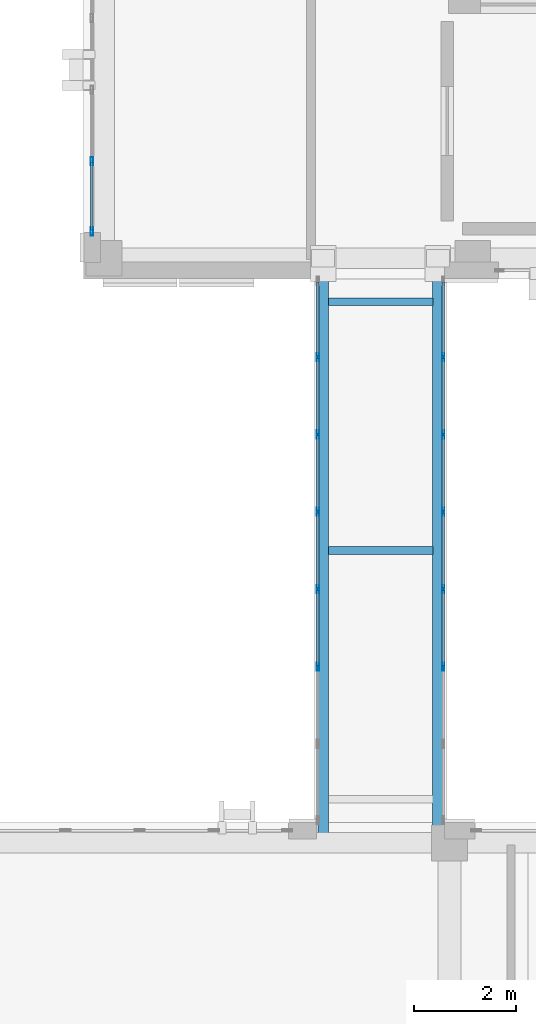
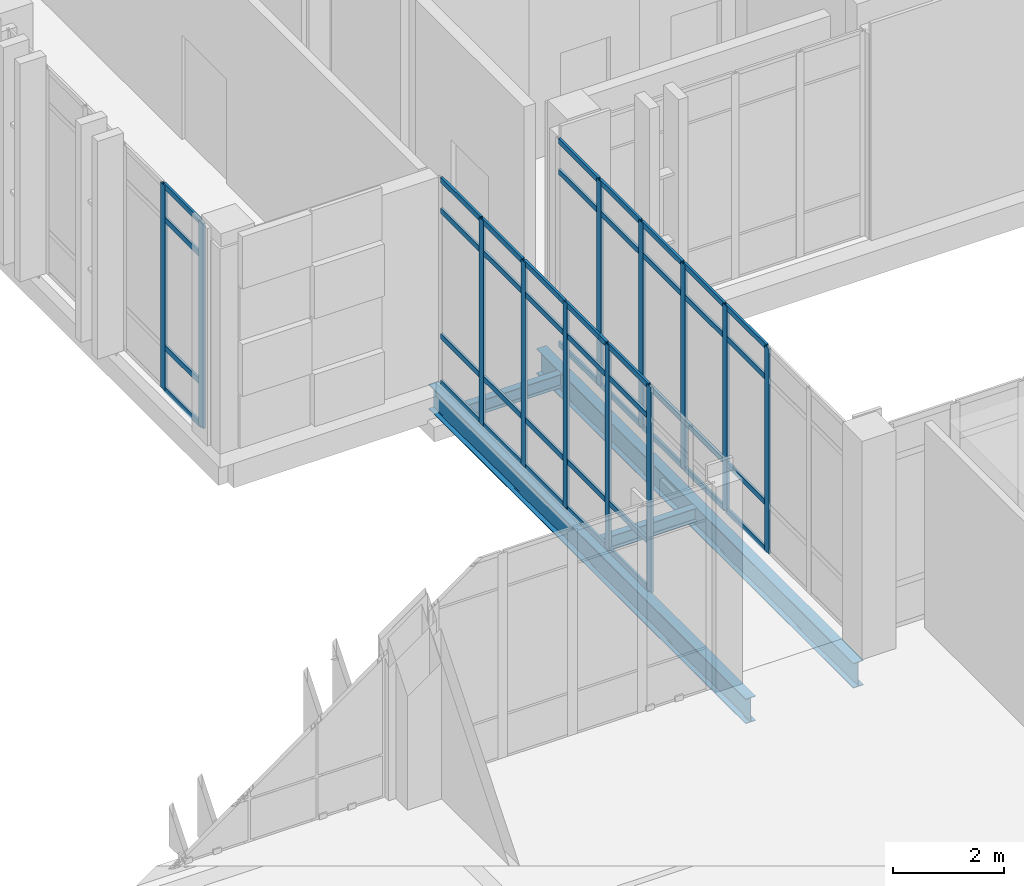
# One storey, part 56 of 189: 56 members, 4 beams, 3 elements without a shape of their own.
"""IFC4 building model written with IfcOpenShell, lengths in metres."""

import ifcopenshell
import ifcopenshell.guid

model = None  # the IFC model being written
_history = None  # IfcOwnerHistory: only IFC2X3 demands one
_inside = {}  # id of a spatial element -> (the spatial element, [elements in it])
_under = {}  # id of a project, library or spatial element -> (it, [spatial elements below it])
_declared = {}  # id of a project -> (the project, [libraries it declares])
_typed = {}  # id of a type object -> (the type object, [elements of that type])
_made_of = {}  # id of a material, layer set ... -> (it, [elements and type objects made of it])


def new_model(schema):
    """Start an empty IFC model of exactly this schema.

    Asked for "IFC4X3", IfcOpenShell would pick the latest addendum, in which some entities
    have other attributes; the version numbers below select the first issue.
    IFC2X3 requires an IfcOwnerHistory on every rooted entity: one is made here for all.
    """
    global model, _history
    if schema == "IFC4X3":
        model = ifcopenshell.file(schema_version=(4, 3, 0, 0))
    else:
        model = ifcopenshell.file(schema=schema)
    _inside.clear()
    _under.clear()
    _declared.clear()
    _typed.clear()
    _made_of.clear()
    _history = None
    if model.schema == "IFC2X3":
        org = make("IfcOrganization", Name="unknown")
        user = make(
            "IfcPersonAndOrganization",
            ThePerson=make("IfcPerson", FamilyName="unknown"),
            TheOrganization=org,
        )
        app = make(
            "IfcApplication",
            ApplicationDeveloper=org,
            Version="unknown",
            ApplicationFullName="unknown",
            ApplicationIdentifier="unknown",
        )
        _history = make(
            "IfcOwnerHistory",
            OwningUser=user,
            OwningApplication=app,
            ChangeAction="ADDED",
            CreationDate=0,
        )
    return model


def make(cls, **values):
    """One entity of the class cls with the attributes given. An attribute that is None is left unset."""
    return model.create_entity(
        cls, **{name: value for name, value in values.items() if value is not None}
    )


def rooted(cls, **values):
    """An entity with a GlobalId (a new one), such as an element, a storey or a relation."""
    return make(cls, GlobalId=ifcopenshell.guid.new(), OwnerHistory=_history, **values)


def si_unit(unit_type, name, prefix=None):
    """IfcSIUnit, for example si_unit("LENGTHUNIT", "METRE", prefix="MILLI")."""
    return make("IfcSIUnit", UnitType=unit_type, Prefix=prefix, Name=name)


def assignment(units):
    """IfcUnitAssignment: the units of a project."""
    return None if units is None else make("IfcUnitAssignment", Units=units)


def point(xyz):
    """IfcCartesianPoint."""
    return None if xyz is None else make("IfcCartesianPoint", Coordinates=xyz)


def direction(xyz):
    """IfcDirection."""
    return None if xyz is None else make("IfcDirection", DirectionRatios=xyz)


def frame(location, z_axis=None, x_axis=None):
    """IfcAxis2Placement3D, a coordinate frame: its origin and axes. An axis left out is left unset."""
    return make(
        "IfcAxis2Placement3D",
        Location=point(location),
        Axis=direction(z_axis),
        RefDirection=direction(x_axis),
    )


def frame_2d(location, x_axis=None):
    """IfcAxis2Placement2D, a coordinate frame in the plane: its origin and x axis."""
    return make(
        "IfcAxis2Placement2D", Location=point(location), RefDirection=direction(x_axis)
    )


def origin():
    """The frame at (0, 0, 0) with its axes left unset."""
    return frame((0.0, 0.0, 0.0))


def origin_2d():
    """The frame at (0, 0) in the plane with its x axis left unset."""
    return frame_2d((0.0, 0.0))


def place(relative_to, where):
    """IfcLocalPlacement: puts the frame where relative to a parent placement (None: the world)."""
    return make(
        "IfcLocalPlacement", PlacementRelTo=relative_to, RelativePlacement=where
    )


def context(
    kind, dimensions, precision=None, world=None, true_north=None, identifier=None
):
    """IfcGeometricRepresentationContext, for example the 3D "Model" context."""
    return make(
        "IfcGeometricRepresentationContext",
        ContextIdentifier=identifier,
        ContextType=kind,
        CoordinateSpaceDimension=dimensions,
        Precision=precision,
        WorldCoordinateSystem=world,
        TrueNorth=true_north,
    )


def subcontext(parent, identifier, kind, view, scale=None):
    """IfcGeometricRepresentationSubContext, for example "Body" below "Model"."""
    return make(
        "IfcGeometricRepresentationSubContext",
        ContextIdentifier=identifier,
        ContextType=kind,
        ParentContext=parent,
        TargetScale=scale,
        TargetView=view,
    )


def project(units=None, contexts=None):
    """IfcProject with its units and contexts."""
    return rooted(
        "IfcProject",
        Name="project",
        RepresentationContexts=contexts,
        UnitsInContext=assignment(units),
    )


def spatial(cls, under=None, at=None, **own):
    """A site, building, storey or space (cls), placed at a placement, below another one or the project."""
    s = rooted(cls, ObjectPlacement=at, **own)
    if under is not None:
        _under.setdefault(under.id(), (under, []))[1].append(s)
    return s


def profile(cls, at=None, kind="AREA", **sizes):
    """A parametric profile (cls). Its sizes go by their IFC names, for example OverallWidth=200.0."""
    return make(cls, ProfileType=kind, Position=at, **sizes)


def hollow_rectangle(**sizes):
    """IfcRectangleHollowProfileDef."""
    return profile("IfcRectangleHollowProfileDef", **sizes)


def i_section(**sizes):
    """IfcIShapeProfileDef."""
    return profile("IfcIShapeProfileDef", **sizes)


def extrude(swept, where, along, depth):
    """IfcExtrudedAreaSolid: the profile swept, set in the frame where, extruded along a direction by depth."""
    return make(
        "IfcExtrudedAreaSolid",
        SweptArea=swept,
        Position=where,
        ExtrudedDirection=direction(along),
        Depth=depth,
    )


def shape(context_of_items, identifier, shape_type, items):
    """IfcShapeRepresentation: the items that make up one representation, for example the "Body"."""
    return make(
        "IfcShapeRepresentation",
        ContextOfItems=context_of_items,
        RepresentationIdentifier=identifier,
        RepresentationType=shape_type,
        Items=items,
    )


def material(Name=None, Category=None):
    """IfcMaterial."""
    return make("IfcMaterial", Name=Name, Category=Category)


def layer(
    of_material, thickness, ventilated=None, Name=None, Category=None, Priority=None
):
    """IfcMaterialLayer: one layer of a wall or slab, of a material (None: an air gap)."""
    return make(
        "IfcMaterialLayer",
        Material=of_material,
        LayerThickness=thickness,
        IsVentilated=ventilated,
        Name=Name,
        Category=Category,
        Priority=Priority,
    )


def layer_set(layers, Name=None):
    """IfcMaterialLayerSet."""
    return make("IfcMaterialLayerSet", MaterialLayers=layers, LayerSetName=Name)


def material_profile(
    of_material, cross_section, Name=None, Category=None, Priority=None
):
    """IfcMaterialProfile: a cross section and its material."""
    return make(
        "IfcMaterialProfile",
        Name=Name,
        Material=of_material,
        Profile=cross_section,
        Priority=Priority,
        Category=Category,
    )


def profile_set(profiles, Name=None, composite=None):
    """IfcMaterialProfileSet."""
    return make(
        "IfcMaterialProfileSet",
        Name=Name,
        MaterialProfiles=profiles,
        CompositeProfile=composite,
    )


def made_of(thing, what):
    """Note that an element or type object is made of a material, layer set ...; save() writes the relation."""
    if what is not None:
        _made_of.setdefault(what.id(), (what, []))[1].append(thing)
    return thing


def type_object(cls, material=None, **own):
    """A type object (cls), such as IfcWallType, which elements share."""
    return made_of(rooted(cls, **own), material)


def element(
    cls,
    number,
    at=None,
    inside=None,
    cuts=None,
    type_object=None,
    material=None,
    context=None,
    identifier="Body",
    shape_type=None,
    held_by="IfcProductDefinitionShape",
    body=None,
    shapes=None,
    **own,
):
    """One element of the class cls, such as IfcWall. Its Tag is "e" and its number.

    at: its placement. inside: the storey or other place that contains it. cuts: it is an
    opening in that element (IfcRelVoidsElement). A single representation is given by context,
    identifier, shape_type and body (its items); several are given by shapes. held_by: the class
    of the entity that holds the representations. save() writes the other relations.
    """
    e = rooted(cls, Tag="e%d" % number, ObjectPlacement=at, **own)
    if body is not None:
        shapes = [shape(context, identifier, shape_type, body)]
    if shapes is not None:
        e.Representation = make(held_by, Representations=shapes)
    if inside is not None:
        _inside.setdefault(inside.id(), (inside, []))[1].append(e)
    if cuts is not None:
        rooted(
            "IfcRelVoidsElement", RelatingBuildingElement=cuts, RelatedOpeningElement=e
        )
    if type_object is not None:
        _typed.setdefault(type_object.id(), (type_object, []))[1].append(e)
    return made_of(e, material)


def aggregate(whole, parts):
    """IfcRelAggregates: a whole, such as a stair, and the parts it consists of."""
    return rooted("IfcRelAggregates", RelatingObject=whole, RelatedObjects=parts)


def save(model, path):
    """Write the relations noted so far, then the file.

    IfcRelAggregates (storeys below a building ...), IfcRelContainedInSpatialStructure (elements
    in a storey), IfcRelDefinesByType, IfcRelAssociatesMaterial and IfcRelDeclares: one each for
    every whole, place, type object, material and project.
    """
    for whole, parts in _under.values():
        aggregate(whole, parts)
    for where, things in _inside.values():
        rooted(
            "IfcRelContainedInSpatialStructure",
            RelatedElements=things,
            RelatingStructure=where,
        )
    for kind, things in _typed.values():
        rooted("IfcRelDefinesByType", RelatedObjects=things, RelatingType=kind)
    for what, things in _made_of.values():
        rooted("IfcRelAssociatesMaterial", RelatedObjects=things, RelatingMaterial=what)
    for by, libraries in _declared.values():
        rooted("IfcRelDeclares", RelatingContext=by, RelatedDefinitions=libraries)
    model.write(path)


model = new_model("IFC4")

# Units and contexts
model_context = context("Model", 3, precision=1e-05, world=origin(), true_north=direction((0.0, 1.0)))
body_context = subcontext(model_context, "Body", "Model", "MODEL_VIEW")
ifc_project = project(units=[si_unit("LENGTHUNIT", "METRE"), si_unit("AREAUNIT", "SQUARE_METRE"), si_unit("VOLUMEUNIT", "CUBIC_METRE"), si_unit("PLANEANGLEUNIT", "RADIAN"), si_unit("MASSUNIT", "GRAM", prefix="KILO")], contexts=[model_context])

# Site, building, storey
site_placement = place(None, origin())
site = spatial("IfcSite", under=ifc_project, at=site_placement, CompositionType="ELEMENT")
building_placement = place(site_placement, origin())
building = spatial("IfcBuilding", under=site, at=building_placement, Name="Qalavern Law Courts", CompositionType="ELEMENT")
storey_placement = place(building_placement, frame((0.0, 0.0, 5.39990234375)))
storey = spatial("IfcBuildingStorey", under=building, at=storey_placement, Name="L01", CompositionType="ELEMENT", Elevation=5.39990234375)

# Curtain wall, members
ifc_material_1 = material(Name="Anodised aluminium and insulated glazing", Category="aluminium")
ifc_layer_1 = layer(ifc_material_1, 0.172119140625)
ifc_layer_set_1 = layer_set([ifc_layer_1], Name="Anodised aluminium and insulated glazing")
curtain_wall_type_1 = type_object("IfcCurtainWallType", Name="ENV-CW-COURT", PredefinedType="USERDEFINED", material=ifc_layer_set_1)
curtain_wall_1_placement = place(storey_placement, origin())
curtain_wall_1 = element("IfcCurtainWall", 1, at=curtain_wall_1_placement, inside=storey, type_object=curtain_wall_type_1, Name="V4 unitised curtain wall L01 west 6", ObjectType="UNITISED CURTAIN WALL", PredefinedType="USERDEFINED")
ifc_material_2 = material(Name="Anodised aluminium", Category="aluminium")
ifc_material_profile_1 = material_profile(ifc_material_2, hollow_rectangle(XDim=0.048095703125, YDim=0.159912109375, WallThickness=0.00390625, at=origin_2d()), Name="ALU MULLION 48x160")
ifc_profile_set_1 = profile_set([ifc_material_profile_1], Name="Anodised aluminium")
member_type_1 = type_object("IfcMemberType", Name="ENV-CWM-48x160", PredefinedType="MULLION", material=ifc_profile_set_1)
member_1_placement = place(storey_placement, frame((84.362548828125, 43.31591796875, 0.0), z_axis=(0.0, 0.0, 1.0), x_axis=(1.0, 0.0, 0.0)))
member_1 = element("IfcMember", 2, at=member_1_placement, type_object=member_type_1, Name="CW-03 mullion 5", PredefinedType="MULLION", context=body_context, shape_type="SweptSolid", body=[
    extrude(hollow_rectangle(XDim=0.048095703125, YDim=0.159912109375, WallThickness=0.00390625, at=origin_2d()), origin(), (0.0, 0.0, 1.0), 4.510009765625),
])
member_2_placement = place(storey_placement, frame((84.362548828125, 41.944091796875, 0.0), z_axis=(0.0, 0.0, 1.0), x_axis=(1.0, 0.0, 0.0)))
member_2 = element("IfcMember", 3, at=member_2_placement, type_object=member_type_1, Name="CW-03 mullion 6", PredefinedType="MULLION", context=body_context, shape_type="SweptSolid", body=[
    extrude(hollow_rectangle(XDim=0.048095703125, YDim=0.159912109375, WallThickness=0.00390625, at=origin_2d()), origin(), (0.0, 0.0, 1.0), 4.510009765625),
])

ifc_layer_2 = layer(ifc_material_1, 0.14990234375)
ifc_layer_set_2 = layer_set([ifc_layer_2], Name="Anodised aluminium and insulated glazing")
curtain_wall_type_2 = type_object("IfcCurtainWallType", Name="ENV-CW-BRG", PredefinedType="USERDEFINED", material=ifc_layer_set_2)
curtain_wall_2_placement = place(storey_placement, origin())
curtain_wall_2 = element("IfcCurtainWall", 4, at=curtain_wall_2_placement, inside=storey, type_object=curtain_wall_type_2, Name="Bridge BR-V2-V4 glazed curtain wall L01-1", ObjectType="UNITISED CURTAIN WALL", PredefinedType="USERDEFINED")
member_3_placement = place(storey_placement, frame((88.77490234375, 39.488525390625, 0.0), z_axis=(0.0, 0.0, 1.0), x_axis=(1.0, 0.0, 0.0)))
member_3 = element("IfcMember", 5, at=member_3_placement, type_object=member_type_1, Name="CW-06 mullion 2", PredefinedType="MULLION", context=body_context, shape_type="SweptSolid", body=[
    extrude(hollow_rectangle(XDim=0.048095703125, YDim=0.159912109375, WallThickness=0.00390625, at=origin_2d()), origin(), (0.0, 0.0, 1.0), 4.510009765625),
])
member_4_placement = place(storey_placement, frame((88.77490234375, 37.97705078125, 0.0), z_axis=(0.0, 0.0, 1.0), x_axis=(1.0, 0.0, 0.0)))
member_4 = element("IfcMember", 6, at=member_4_placement, type_object=member_type_1, Name="CW-06 mullion 3", PredefinedType="MULLION", context=body_context, shape_type="SweptSolid", body=[
    extrude(hollow_rectangle(XDim=0.048095703125, YDim=0.159912109375, WallThickness=0.00390625, at=origin_2d()), origin(), (0.0, 0.0, 1.0), 4.510009765625),
])
member_5_placement = place(storey_placement, frame((88.77490234375, 36.4658203125, 0.0), z_axis=(0.0, 0.0, 1.0), x_axis=(1.0, 0.0, 0.0)))
member_5 = element("IfcMember", 7, at=member_5_placement, type_object=member_type_1, Name="CW-06 mullion 4", PredefinedType="MULLION", context=body_context, shape_type="SweptSolid", body=[
    extrude(hollow_rectangle(XDim=0.048095703125, YDim=0.159912109375, WallThickness=0.00390625, at=origin_2d()), origin(), (0.0, 0.0, 1.0), 4.510009765625),
])
member_6_placement = place(storey_placement, frame((88.77490234375, 34.954345703125, 0.0), z_axis=(0.0, 0.0, 1.0), x_axis=(1.0, 0.0, 0.0)))
member_6 = element("IfcMember", 8, at=member_6_placement, type_object=member_type_1, Name="CW-06 mullion 5", PredefinedType="MULLION", context=body_context, shape_type="SweptSolid", body=[
    extrude(hollow_rectangle(XDim=0.048095703125, YDim=0.159912109375, WallThickness=0.00390625, at=origin_2d()), origin(), (0.0, 0.0, 1.0), 4.510009765625),
])
member_7_placement = place(storey_placement, frame((88.77490234375, 33.44287109375, 0.0), z_axis=(0.0, 0.0, 1.0), x_axis=(1.0, 0.0, 0.0)))
member_7 = element("IfcMember", 9, at=member_7_placement, type_object=member_type_1, Name="CW-06 mullion 6", PredefinedType="MULLION", context=body_context, shape_type="SweptSolid", body=[
    extrude(hollow_rectangle(XDim=0.048095703125, YDim=0.159912109375, WallThickness=0.00390625, at=origin_2d()), origin(), (0.0, 0.0, 1.0), 4.510009765625),
])

curtain_wall_3_placement = place(storey_placement, origin())
curtain_wall_3 = element("IfcCurtainWall", 10, at=curtain_wall_3_placement, inside=storey, type_object=curtain_wall_type_2, Name="Bridge BR-V2-V4 glazed curtain wall L01-2", ObjectType="UNITISED CURTAIN WALL", PredefinedType="USERDEFINED")
member_8_placement = place(storey_placement, frame((91.22509765625, 33.44287109375, 0.0), z_axis=(0.0, 0.0, 1.0), x_axis=(-1.0, 0.0, 0.0)))
member_8 = element("IfcMember", 11, at=member_8_placement, type_object=member_type_1, Name="CW-06 mullion 3", PredefinedType="MULLION", context=body_context, shape_type="SweptSolid", body=[
    extrude(hollow_rectangle(XDim=0.048095703125, YDim=0.159912109375, WallThickness=0.00390625, at=origin_2d()), origin(), (0.0, 0.0, 1.0), 4.510009765625),
])
member_9_placement = place(storey_placement, frame((91.22509765625, 34.954345703125, 0.0), z_axis=(0.0, 0.0, 1.0), x_axis=(-1.0, 0.0, 0.0)))
member_9 = element("IfcMember", 12, at=member_9_placement, type_object=member_type_1, Name="CW-06 mullion 4", PredefinedType="MULLION", context=body_context, shape_type="SweptSolid", body=[
    extrude(hollow_rectangle(XDim=0.048095703125, YDim=0.159912109375, WallThickness=0.00390625, at=origin_2d()), origin(), (0.0, 0.0, 1.0), 4.510009765625),
])
member_10_placement = place(storey_placement, frame((91.22509765625, 36.4658203125, 0.0), z_axis=(0.0, 0.0, 1.0), x_axis=(-1.0, 0.0, 0.0)))
member_10 = element("IfcMember", 13, at=member_10_placement, type_object=member_type_1, Name="CW-06 mullion 5", PredefinedType="MULLION", context=body_context, shape_type="SweptSolid", body=[
    extrude(hollow_rectangle(XDim=0.048095703125, YDim=0.159912109375, WallThickness=0.00390625, at=origin_2d()), origin(), (0.0, 0.0, 1.0), 4.510009765625),
])
member_11_placement = place(storey_placement, frame((91.22509765625, 37.97705078125, 0.0), z_axis=(0.0, 0.0, 1.0), x_axis=(-1.0, 0.0, 0.0)))
member_11 = element("IfcMember", 14, at=member_11_placement, type_object=member_type_1, Name="CW-06 mullion 6", PredefinedType="MULLION", context=body_context, shape_type="SweptSolid", body=[
    extrude(hollow_rectangle(XDim=0.048095703125, YDim=0.159912109375, WallThickness=0.00390625, at=origin_2d()), origin(), (0.0, 0.0, 1.0), 4.510009765625),
])
member_12_placement = place(storey_placement, frame((91.22509765625, 39.488525390625, 0.0), z_axis=(0.0, 0.0, 1.0), x_axis=(-1.0, 0.0, 0.0)))
member_12 = element("IfcMember", 15, at=member_12_placement, type_object=member_type_1, Name="CW-06 mullion 7", PredefinedType="MULLION", context=body_context, shape_type="SweptSolid", body=[
    extrude(hollow_rectangle(XDim=0.048095703125, YDim=0.159912109375, WallThickness=0.00390625, at=origin_2d()), origin(), (0.0, 0.0, 1.0), 4.510009765625),
])

# Member
ifc_material_profile_2 = material_profile(ifc_material_2, hollow_rectangle(XDim=0.048095703125, YDim=0.1201171875, WallThickness=0.00390625, at=origin_2d()), Name="ALU TRANSOM 48x120")
ifc_profile_set_2 = profile_set([ifc_material_profile_2], Name="Anodised aluminium")
member_type_2 = type_object("IfcMemberType", Name="ENV-CWT-48x120", PredefinedType="USERDEFINED", material=ifc_profile_set_2)
member_13_placement = place(storey_placement, frame((84.362548828125, 43.2919921875, 0.024169921875), z_axis=(0.0, -1.0, 0.0), x_axis=(1.0, 0.0, 0.0)))
member_13 = element("IfcMember", 16, at=member_13_placement, type_object=member_type_2, Name="CW-03 transom 5.1", ObjectType="TRANSOM", PredefinedType="USERDEFINED", context=body_context, shape_type="SweptSolid", body=[
    extrude(hollow_rectangle(XDim=0.048095703125, YDim=0.1201171875, WallThickness=0.00390625, at=origin_2d()), origin(), (0.0, 0.0, 1.0), 1.323974609375),
])

member_14_placement = place(storey_placement, frame((84.362548828125, 43.2919921875, 0.9501953125), z_axis=(0.0, -1.0, 0.0), x_axis=(1.0, 0.0, 0.0)))
member_14 = element("IfcMember", 17, at=member_14_placement, type_object=member_type_2, Name="CW-03 transom 5.2", ObjectType="TRANSOM", PredefinedType="USERDEFINED", context=body_context, shape_type="SweptSolid", body=[
    extrude(hollow_rectangle(XDim=0.048095703125, YDim=0.1201171875, WallThickness=0.00390625, at=origin_2d()), origin(), (0.0, 0.0, 1.0), 1.323974609375),
])

member_15_placement = place(storey_placement, frame((84.362548828125, 43.2919921875, 3.760009765625), z_axis=(0.0, -1.0, 0.0), x_axis=(1.0, 0.0, 0.0)))
member_15 = element("IfcMember", 18, at=member_15_placement, type_object=member_type_2, Name="CW-03 transom 5.3", ObjectType="TRANSOM", PredefinedType="USERDEFINED", context=body_context, shape_type="SweptSolid", body=[
    extrude(hollow_rectangle(XDim=0.048095703125, YDim=0.1201171875, WallThickness=0.00390625, at=origin_2d()), origin(), (0.0, 0.0, 1.0), 1.323974609375),
])

member_16_placement = place(storey_placement, frame((84.362548828125, 43.2919921875, 4.486083984375), z_axis=(0.0, -1.0, 0.0), x_axis=(1.0, 0.0, 0.0)))
member_16 = element("IfcMember", 19, at=member_16_placement, type_object=member_type_2, Name="CW-03 transom 5.4", ObjectType="TRANSOM", PredefinedType="USERDEFINED", context=body_context, shape_type="SweptSolid", body=[
    extrude(hollow_rectangle(XDim=0.048095703125, YDim=0.1201171875, WallThickness=0.00390625, at=origin_2d()), origin(), (0.0, 0.0, 1.0), 1.323974609375),
])

aggregate(curtain_wall_1, [member_1, member_2, member_13, member_14, member_15, member_16])

member_17_placement = place(storey_placement, frame((88.77490234375, 40.951904296875, 0.024169921875), z_axis=(0.0, -1.0, 0.0), x_axis=(1.0, 0.0, 0.0)))
member_17 = element("IfcMember", 20, at=member_17_placement, type_object=member_type_2, Name="CW-06 transom 1.1", ObjectType="TRANSOM", PredefinedType="USERDEFINED", context=body_context, shape_type="SweptSolid", body=[
    extrude(hollow_rectangle(XDim=0.048095703125, YDim=0.1201171875, WallThickness=0.00390625, at=origin_2d()), origin(), (0.0, 0.0, 1.0), 1.439453125),
])

member_18_placement = place(storey_placement, frame((88.77490234375, 40.951904296875, 1.050048828125), z_axis=(0.0, -1.0, 0.0), x_axis=(1.0, 0.0, 0.0)))
member_18 = element("IfcMember", 21, at=member_18_placement, type_object=member_type_2, Name="CW-06 transom 1.2", ObjectType="TRANSOM", PredefinedType="USERDEFINED", context=body_context, shape_type="SweptSolid", body=[
    extrude(hollow_rectangle(XDim=0.048095703125, YDim=0.1201171875, WallThickness=0.00390625, at=origin_2d()), origin(), (0.0, 0.0, 1.0), 1.439453125),
])

member_19_placement = place(storey_placement, frame((88.77490234375, 40.951904296875, 3.81005859375), z_axis=(0.0, -1.0, 0.0), x_axis=(1.0, 0.0, 0.0)))
member_19 = element("IfcMember", 22, at=member_19_placement, type_object=member_type_2, Name="CW-06 transom 1.3", ObjectType="TRANSOM", PredefinedType="USERDEFINED", context=body_context, shape_type="SweptSolid", body=[
    extrude(hollow_rectangle(XDim=0.048095703125, YDim=0.1201171875, WallThickness=0.00390625, at=origin_2d()), origin(), (0.0, 0.0, 1.0), 1.439453125),
])

member_20_placement = place(storey_placement, frame((88.77490234375, 40.951904296875, 4.486083984375), z_axis=(0.0, -1.0, 0.0), x_axis=(1.0, 0.0, 0.0)))
member_20 = element("IfcMember", 23, at=member_20_placement, type_object=member_type_2, Name="CW-06 transom 1.4", ObjectType="TRANSOM", PredefinedType="USERDEFINED", context=body_context, shape_type="SweptSolid", body=[
    extrude(hollow_rectangle(XDim=0.048095703125, YDim=0.1201171875, WallThickness=0.00390625, at=origin_2d()), origin(), (0.0, 0.0, 1.0), 1.439453125),
])

member_21_placement = place(storey_placement, frame((88.77490234375, 39.464599609375, 0.024169921875), z_axis=(0.0, -1.0, 0.0), x_axis=(1.0, 0.0, 0.0)))
member_21 = element("IfcMember", 24, at=member_21_placement, type_object=member_type_2, Name="CW-06 transom 2.1", ObjectType="TRANSOM", PredefinedType="USERDEFINED", context=body_context, shape_type="SweptSolid", body=[
    extrude(hollow_rectangle(XDim=0.048095703125, YDim=0.1201171875, WallThickness=0.00390625, at=origin_2d()), origin(), (0.0, 0.0, 1.0), 1.46337890625),
])

member_22_placement = place(storey_placement, frame((88.77490234375, 39.464599609375, 1.050048828125), z_axis=(0.0, -1.0, 0.0), x_axis=(1.0, 0.0, 0.0)))
member_22 = element("IfcMember", 25, at=member_22_placement, type_object=member_type_2, Name="CW-06 transom 2.2", ObjectType="TRANSOM", PredefinedType="USERDEFINED", context=body_context, shape_type="SweptSolid", body=[
    extrude(hollow_rectangle(XDim=0.048095703125, YDim=0.1201171875, WallThickness=0.00390625, at=origin_2d()), origin(), (0.0, 0.0, 1.0), 1.46337890625),
])

member_23_placement = place(storey_placement, frame((88.77490234375, 39.464599609375, 3.81005859375), z_axis=(0.0, -1.0, 0.0), x_axis=(1.0, 0.0, 0.0)))
member_23 = element("IfcMember", 26, at=member_23_placement, type_object=member_type_2, Name="CW-06 transom 2.3", ObjectType="TRANSOM", PredefinedType="USERDEFINED", context=body_context, shape_type="SweptSolid", body=[
    extrude(hollow_rectangle(XDim=0.048095703125, YDim=0.1201171875, WallThickness=0.00390625, at=origin_2d()), origin(), (0.0, 0.0, 1.0), 1.46337890625),
])

member_24_placement = place(storey_placement, frame((88.77490234375, 39.464599609375, 4.486083984375), z_axis=(0.0, -1.0, 0.0), x_axis=(1.0, 0.0, 0.0)))
member_24 = element("IfcMember", 27, at=member_24_placement, type_object=member_type_2, Name="CW-06 transom 2.4", ObjectType="TRANSOM", PredefinedType="USERDEFINED", context=body_context, shape_type="SweptSolid", body=[
    extrude(hollow_rectangle(XDim=0.048095703125, YDim=0.1201171875, WallThickness=0.00390625, at=origin_2d()), origin(), (0.0, 0.0, 1.0), 1.46337890625),
])

member_25_placement = place(storey_placement, frame((88.77490234375, 37.953125, 0.024169921875), z_axis=(0.0, -1.0, 0.0), x_axis=(1.0, 0.0, 0.0)))
member_25 = element("IfcMember", 28, at=member_25_placement, type_object=member_type_2, Name="CW-06 transom 3.1", ObjectType="TRANSOM", PredefinedType="USERDEFINED", context=body_context, shape_type="SweptSolid", body=[
    extrude(hollow_rectangle(XDim=0.048095703125, YDim=0.1201171875, WallThickness=0.00390625, at=origin_2d()), origin(), (0.0, 0.0, 1.0), 1.46337890625),
])

member_26_placement = place(storey_placement, frame((88.77490234375, 37.953125, 1.050048828125), z_axis=(0.0, -1.0, 0.0), x_axis=(1.0, 0.0, 0.0)))
member_26 = element("IfcMember", 29, at=member_26_placement, type_object=member_type_2, Name="CW-06 transom 3.2", ObjectType="TRANSOM", PredefinedType="USERDEFINED", context=body_context, shape_type="SweptSolid", body=[
    extrude(hollow_rectangle(XDim=0.048095703125, YDim=0.1201171875, WallThickness=0.00390625, at=origin_2d()), origin(), (0.0, 0.0, 1.0), 1.46337890625),
])

member_27_placement = place(storey_placement, frame((88.77490234375, 37.953125, 3.81005859375), z_axis=(0.0, -1.0, 0.0), x_axis=(1.0, 0.0, 0.0)))
member_27 = element("IfcMember", 30, at=member_27_placement, type_object=member_type_2, Name="CW-06 transom 3.3", ObjectType="TRANSOM", PredefinedType="USERDEFINED", context=body_context, shape_type="SweptSolid", body=[
    extrude(hollow_rectangle(XDim=0.048095703125, YDim=0.1201171875, WallThickness=0.00390625, at=origin_2d()), origin(), (0.0, 0.0, 1.0), 1.46337890625),
])

member_28_placement = place(storey_placement, frame((88.77490234375, 37.953125, 4.486083984375), z_axis=(0.0, -1.0, 0.0), x_axis=(1.0, 0.0, 0.0)))
member_28 = element("IfcMember", 31, at=member_28_placement, type_object=member_type_2, Name="CW-06 transom 3.4", ObjectType="TRANSOM", PredefinedType="USERDEFINED", context=body_context, shape_type="SweptSolid", body=[
    extrude(hollow_rectangle(XDim=0.048095703125, YDim=0.1201171875, WallThickness=0.00390625, at=origin_2d()), origin(), (0.0, 0.0, 1.0), 1.46337890625),
])

member_29_placement = place(storey_placement, frame((88.77490234375, 36.441650390625, 0.024169921875), z_axis=(0.0, -1.0, 0.0), x_axis=(1.0, 0.0, 0.0)))
member_29 = element("IfcMember", 32, at=member_29_placement, type_object=member_type_2, Name="CW-06 transom 4.1", ObjectType="TRANSOM", PredefinedType="USERDEFINED", context=body_context, shape_type="SweptSolid", body=[
    extrude(hollow_rectangle(XDim=0.048095703125, YDim=0.1201171875, WallThickness=0.00390625, at=origin_2d()), origin(), (0.0, 0.0, 1.0), 1.46337890625),
])

member_30_placement = place(storey_placement, frame((88.77490234375, 36.441650390625, 1.050048828125), z_axis=(0.0, -1.0, 0.0), x_axis=(1.0, 0.0, 0.0)))
member_30 = element("IfcMember", 33, at=member_30_placement, type_object=member_type_2, Name="CW-06 transom 4.2", ObjectType="TRANSOM", PredefinedType="USERDEFINED", context=body_context, shape_type="SweptSolid", body=[
    extrude(hollow_rectangle(XDim=0.048095703125, YDim=0.1201171875, WallThickness=0.00390625, at=origin_2d()), origin(), (0.0, 0.0, 1.0), 1.46337890625),
])

member_31_placement = place(storey_placement, frame((88.77490234375, 36.441650390625, 3.81005859375), z_axis=(0.0, -1.0, 0.0), x_axis=(1.0, 0.0, 0.0)))
member_31 = element("IfcMember", 34, at=member_31_placement, type_object=member_type_2, Name="CW-06 transom 4.3", ObjectType="TRANSOM", PredefinedType="USERDEFINED", context=body_context, shape_type="SweptSolid", body=[
    extrude(hollow_rectangle(XDim=0.048095703125, YDim=0.1201171875, WallThickness=0.00390625, at=origin_2d()), origin(), (0.0, 0.0, 1.0), 1.46337890625),
])

member_32_placement = place(storey_placement, frame((88.77490234375, 36.441650390625, 4.486083984375), z_axis=(0.0, -1.0, 0.0), x_axis=(1.0, 0.0, 0.0)))
member_32 = element("IfcMember", 35, at=member_32_placement, type_object=member_type_2, Name="CW-06 transom 4.4", ObjectType="TRANSOM", PredefinedType="USERDEFINED", context=body_context, shape_type="SweptSolid", body=[
    extrude(hollow_rectangle(XDim=0.048095703125, YDim=0.1201171875, WallThickness=0.00390625, at=origin_2d()), origin(), (0.0, 0.0, 1.0), 1.46337890625),
])

member_33_placement = place(storey_placement, frame((88.77490234375, 34.93017578125, 0.024169921875), z_axis=(0.0, -1.0, 0.0), x_axis=(1.0, 0.0, 0.0)))
member_33 = element("IfcMember", 36, at=member_33_placement, type_object=member_type_2, Name="CW-06 transom 5.1", ObjectType="TRANSOM", PredefinedType="USERDEFINED", context=body_context, shape_type="SweptSolid", body=[
    extrude(hollow_rectangle(XDim=0.048095703125, YDim=0.1201171875, WallThickness=0.00390625, at=origin_2d()), origin(), (0.0, 0.0, 1.0), 1.46337890625),
])

member_34_placement = place(storey_placement, frame((88.77490234375, 34.93017578125, 1.050048828125), z_axis=(0.0, -1.0, 0.0), x_axis=(1.0, 0.0, 0.0)))
member_34 = element("IfcMember", 37, at=member_34_placement, type_object=member_type_2, Name="CW-06 transom 5.2", ObjectType="TRANSOM", PredefinedType="USERDEFINED", context=body_context, shape_type="SweptSolid", body=[
    extrude(hollow_rectangle(XDim=0.048095703125, YDim=0.1201171875, WallThickness=0.00390625, at=origin_2d()), origin(), (0.0, 0.0, 1.0), 1.46337890625),
])

member_35_placement = place(storey_placement, frame((88.77490234375, 34.93017578125, 3.81005859375), z_axis=(0.0, -1.0, 0.0), x_axis=(1.0, 0.0, 0.0)))
member_35 = element("IfcMember", 38, at=member_35_placement, type_object=member_type_2, Name="CW-06 transom 5.3", ObjectType="TRANSOM", PredefinedType="USERDEFINED", context=body_context, shape_type="SweptSolid", body=[
    extrude(hollow_rectangle(XDim=0.048095703125, YDim=0.1201171875, WallThickness=0.00390625, at=origin_2d()), origin(), (0.0, 0.0, 1.0), 1.46337890625),
])

member_36_placement = place(storey_placement, frame((88.77490234375, 34.93017578125, 4.486083984375), z_axis=(0.0, -1.0, 0.0), x_axis=(1.0, 0.0, 0.0)))
member_36 = element("IfcMember", 39, at=member_36_placement, type_object=member_type_2, Name="CW-06 transom 5.4", ObjectType="TRANSOM", PredefinedType="USERDEFINED", context=body_context, shape_type="SweptSolid", body=[
    extrude(hollow_rectangle(XDim=0.048095703125, YDim=0.1201171875, WallThickness=0.00390625, at=origin_2d()), origin(), (0.0, 0.0, 1.0), 1.46337890625),
])

aggregate(curtain_wall_2, [member_3, member_4, member_5, member_6, member_7, member_17, member_18, member_19, member_20, member_21, member_22, member_23, member_24, member_25, member_26, member_27, member_28, member_29, member_30, member_31, member_32, member_33, member_34, member_35, member_36])

member_37_placement = place(storey_placement, frame((91.22509765625, 33.466796875, 0.024169921875), z_axis=(0.0, 1.0, 0.0), x_axis=(-1.0, 0.0, 0.0)))
member_37 = element("IfcMember", 40, at=member_37_placement, type_object=member_type_2, Name="CW-06 transom 3.1", ObjectType="TRANSOM", PredefinedType="USERDEFINED", context=body_context, shape_type="SweptSolid", body=[
    extrude(hollow_rectangle(XDim=0.048095703125, YDim=0.1201171875, WallThickness=0.00390625, at=origin_2d()), origin(), (0.0, 0.0, 1.0), 1.46337890625),
])

member_38_placement = place(storey_placement, frame((91.22509765625, 33.466796875, 1.050048828125), z_axis=(0.0, 1.0, 0.0), x_axis=(-1.0, 0.0, 0.0)))
member_38 = element("IfcMember", 41, at=member_38_placement, type_object=member_type_2, Name="CW-06 transom 3.2", ObjectType="TRANSOM", PredefinedType="USERDEFINED", context=body_context, shape_type="SweptSolid", body=[
    extrude(hollow_rectangle(XDim=0.048095703125, YDim=0.1201171875, WallThickness=0.00390625, at=origin_2d()), origin(), (0.0, 0.0, 1.0), 1.46337890625),
])

member_39_placement = place(storey_placement, frame((91.22509765625, 33.466796875, 3.81005859375), z_axis=(0.0, 1.0, 0.0), x_axis=(-1.0, 0.0, 0.0)))
member_39 = element("IfcMember", 42, at=member_39_placement, type_object=member_type_2, Name="CW-06 transom 3.3", ObjectType="TRANSOM", PredefinedType="USERDEFINED", context=body_context, shape_type="SweptSolid", body=[
    extrude(hollow_rectangle(XDim=0.048095703125, YDim=0.1201171875, WallThickness=0.00390625, at=origin_2d()), origin(), (0.0, 0.0, 1.0), 1.46337890625),
])

member_40_placement = place(storey_placement, frame((91.22509765625, 33.466796875, 4.486083984375), z_axis=(0.0, 1.0, 0.0), x_axis=(-1.0, 0.0, 0.0)))
member_40 = element("IfcMember", 43, at=member_40_placement, type_object=member_type_2, Name="CW-06 transom 3.4", ObjectType="TRANSOM", PredefinedType="USERDEFINED", context=body_context, shape_type="SweptSolid", body=[
    extrude(hollow_rectangle(XDim=0.048095703125, YDim=0.1201171875, WallThickness=0.00390625, at=origin_2d()), origin(), (0.0, 0.0, 1.0), 1.46337890625),
])

member_41_placement = place(storey_placement, frame((91.22509765625, 34.978271484375, 0.024169921875), z_axis=(0.0, 1.0, 0.0), x_axis=(-1.0, 0.0, 0.0)))
member_41 = element("IfcMember", 44, at=member_41_placement, type_object=member_type_2, Name="CW-06 transom 4.1", ObjectType="TRANSOM", PredefinedType="USERDEFINED", context=body_context, shape_type="SweptSolid", body=[
    extrude(hollow_rectangle(XDim=0.048095703125, YDim=0.1201171875, WallThickness=0.00390625, at=origin_2d()), origin(), (0.0, 0.0, 1.0), 1.46337890625),
])

member_42_placement = place(storey_placement, frame((91.22509765625, 34.978271484375, 1.050048828125), z_axis=(0.0, 1.0, 0.0), x_axis=(-1.0, 0.0, 0.0)))
member_42 = element("IfcMember", 45, at=member_42_placement, type_object=member_type_2, Name="CW-06 transom 4.2", ObjectType="TRANSOM", PredefinedType="USERDEFINED", context=body_context, shape_type="SweptSolid", body=[
    extrude(hollow_rectangle(XDim=0.048095703125, YDim=0.1201171875, WallThickness=0.00390625, at=origin_2d()), origin(), (0.0, 0.0, 1.0), 1.46337890625),
])

member_43_placement = place(storey_placement, frame((91.22509765625, 34.978271484375, 3.81005859375), z_axis=(0.0, 1.0, 0.0), x_axis=(-1.0, 0.0, 0.0)))
member_43 = element("IfcMember", 46, at=member_43_placement, type_object=member_type_2, Name="CW-06 transom 4.3", ObjectType="TRANSOM", PredefinedType="USERDEFINED", context=body_context, shape_type="SweptSolid", body=[
    extrude(hollow_rectangle(XDim=0.048095703125, YDim=0.1201171875, WallThickness=0.00390625, at=origin_2d()), origin(), (0.0, 0.0, 1.0), 1.46337890625),
])

member_44_placement = place(storey_placement, frame((91.22509765625, 34.978271484375, 4.486083984375), z_axis=(0.0, 1.0, 0.0), x_axis=(-1.0, 0.0, 0.0)))
member_44 = element("IfcMember", 47, at=member_44_placement, type_object=member_type_2, Name="CW-06 transom 4.4", ObjectType="TRANSOM", PredefinedType="USERDEFINED", context=body_context, shape_type="SweptSolid", body=[
    extrude(hollow_rectangle(XDim=0.048095703125, YDim=0.1201171875, WallThickness=0.00390625, at=origin_2d()), origin(), (0.0, 0.0, 1.0), 1.46337890625),
])

member_45_placement = place(storey_placement, frame((91.22509765625, 36.48974609375, 0.024169921875), z_axis=(0.0, 1.0, 0.0), x_axis=(-1.0, 0.0, 0.0)))
member_45 = element("IfcMember", 48, at=member_45_placement, type_object=member_type_2, Name="CW-06 transom 5.1", ObjectType="TRANSOM", PredefinedType="USERDEFINED", context=body_context, shape_type="SweptSolid", body=[
    extrude(hollow_rectangle(XDim=0.048095703125, YDim=0.1201171875, WallThickness=0.00390625, at=origin_2d()), origin(), (0.0, 0.0, 1.0), 1.46337890625),
])

member_46_placement = place(storey_placement, frame((91.22509765625, 36.48974609375, 1.050048828125), z_axis=(0.0, 1.0, 0.0), x_axis=(-1.0, 0.0, 0.0)))
member_46 = element("IfcMember", 49, at=member_46_placement, type_object=member_type_2, Name="CW-06 transom 5.2", ObjectType="TRANSOM", PredefinedType="USERDEFINED", context=body_context, shape_type="SweptSolid", body=[
    extrude(hollow_rectangle(XDim=0.048095703125, YDim=0.1201171875, WallThickness=0.00390625, at=origin_2d()), origin(), (0.0, 0.0, 1.0), 1.46337890625),
])

member_47_placement = place(storey_placement, frame((91.22509765625, 36.48974609375, 3.81005859375), z_axis=(0.0, 1.0, 0.0), x_axis=(-1.0, 0.0, 0.0)))
member_47 = element("IfcMember", 50, at=member_47_placement, type_object=member_type_2, Name="CW-06 transom 5.3", ObjectType="TRANSOM", PredefinedType="USERDEFINED", context=body_context, shape_type="SweptSolid", body=[
    extrude(hollow_rectangle(XDim=0.048095703125, YDim=0.1201171875, WallThickness=0.00390625, at=origin_2d()), origin(), (0.0, 0.0, 1.0), 1.46337890625),
])

member_48_placement = place(storey_placement, frame((91.22509765625, 36.48974609375, 4.486083984375), z_axis=(0.0, 1.0, 0.0), x_axis=(-1.0, 0.0, 0.0)))
member_48 = element("IfcMember", 51, at=member_48_placement, type_object=member_type_2, Name="CW-06 transom 5.4", ObjectType="TRANSOM", PredefinedType="USERDEFINED", context=body_context, shape_type="SweptSolid", body=[
    extrude(hollow_rectangle(XDim=0.048095703125, YDim=0.1201171875, WallThickness=0.00390625, at=origin_2d()), origin(), (0.0, 0.0, 1.0), 1.46337890625),
])

member_49_placement = place(storey_placement, frame((91.22509765625, 38.001220703125, 0.024169921875), z_axis=(0.0, 1.0, 0.0), x_axis=(-1.0, 0.0, 0.0)))
member_49 = element("IfcMember", 52, at=member_49_placement, type_object=member_type_2, Name="CW-06 transom 6.1", ObjectType="TRANSOM", PredefinedType="USERDEFINED", context=body_context, shape_type="SweptSolid", body=[
    extrude(hollow_rectangle(XDim=0.048095703125, YDim=0.1201171875, WallThickness=0.00390625, at=origin_2d()), origin(), (0.0, 0.0, 1.0), 1.46337890625),
])

member_50_placement = place(storey_placement, frame((91.22509765625, 38.001220703125, 1.050048828125), z_axis=(0.0, 1.0, 0.0), x_axis=(-1.0, 0.0, 0.0)))
member_50 = element("IfcMember", 53, at=member_50_placement, type_object=member_type_2, Name="CW-06 transom 6.2", ObjectType="TRANSOM", PredefinedType="USERDEFINED", context=body_context, shape_type="SweptSolid", body=[
    extrude(hollow_rectangle(XDim=0.048095703125, YDim=0.1201171875, WallThickness=0.00390625, at=origin_2d()), origin(), (0.0, 0.0, 1.0), 1.46337890625),
])

member_51_placement = place(storey_placement, frame((91.22509765625, 38.001220703125, 3.81005859375), z_axis=(0.0, 1.0, 0.0), x_axis=(-1.0, 0.0, 0.0)))
member_51 = element("IfcMember", 54, at=member_51_placement, type_object=member_type_2, Name="CW-06 transom 6.3", ObjectType="TRANSOM", PredefinedType="USERDEFINED", context=body_context, shape_type="SweptSolid", body=[
    extrude(hollow_rectangle(XDim=0.048095703125, YDim=0.1201171875, WallThickness=0.00390625, at=origin_2d()), origin(), (0.0, 0.0, 1.0), 1.46337890625),
])

member_52_placement = place(storey_placement, frame((91.22509765625, 38.001220703125, 4.486083984375), z_axis=(0.0, 1.0, 0.0), x_axis=(-1.0, 0.0, 0.0)))
member_52 = element("IfcMember", 55, at=member_52_placement, type_object=member_type_2, Name="CW-06 transom 6.4", ObjectType="TRANSOM", PredefinedType="USERDEFINED", context=body_context, shape_type="SweptSolid", body=[
    extrude(hollow_rectangle(XDim=0.048095703125, YDim=0.1201171875, WallThickness=0.00390625, at=origin_2d()), origin(), (0.0, 0.0, 1.0), 1.46337890625),
])

member_53_placement = place(storey_placement, frame((91.22509765625, 39.512451171875, 0.024169921875), z_axis=(0.0, 1.0, 0.0), x_axis=(-1.0, 0.0, 0.0)))
member_53 = element("IfcMember", 56, at=member_53_placement, type_object=member_type_2, Name="CW-06 transom 7.1", ObjectType="TRANSOM", PredefinedType="USERDEFINED", context=body_context, shape_type="SweptSolid", body=[
    extrude(hollow_rectangle(XDim=0.048095703125, YDim=0.1201171875, WallThickness=0.00390625, at=origin_2d()), origin(), (0.0, 0.0, 1.0), 1.439453125),
])

member_54_placement = place(storey_placement, frame((91.22509765625, 39.512451171875, 1.050048828125), z_axis=(0.0, 1.0, 0.0), x_axis=(-1.0, 0.0, 0.0)))
member_54 = element("IfcMember", 57, at=member_54_placement, type_object=member_type_2, Name="CW-06 transom 7.2", ObjectType="TRANSOM", PredefinedType="USERDEFINED", context=body_context, shape_type="SweptSolid", body=[
    extrude(hollow_rectangle(XDim=0.048095703125, YDim=0.1201171875, WallThickness=0.00390625, at=origin_2d()), origin(), (0.0, 0.0, 1.0), 1.439453125),
])

member_55_placement = place(storey_placement, frame((91.22509765625, 39.512451171875, 3.81005859375), z_axis=(0.0, 1.0, 0.0), x_axis=(-1.0, 0.0, 0.0)))
member_55 = element("IfcMember", 58, at=member_55_placement, type_object=member_type_2, Name="CW-06 transom 7.3", ObjectType="TRANSOM", PredefinedType="USERDEFINED", context=body_context, shape_type="SweptSolid", body=[
    extrude(hollow_rectangle(XDim=0.048095703125, YDim=0.1201171875, WallThickness=0.00390625, at=origin_2d()), origin(), (0.0, 0.0, 1.0), 1.439453125),
])

member_56_placement = place(storey_placement, frame((91.22509765625, 39.512451171875, 4.486083984375), z_axis=(0.0, 1.0, 0.0), x_axis=(-1.0, 0.0, 0.0)))
member_56 = element("IfcMember", 59, at=member_56_placement, type_object=member_type_2, Name="CW-06 transom 7.4", ObjectType="TRANSOM", PredefinedType="USERDEFINED", context=body_context, shape_type="SweptSolid", body=[
    extrude(hollow_rectangle(XDim=0.048095703125, YDim=0.1201171875, WallThickness=0.00390625, at=origin_2d()), origin(), (0.0, 0.0, 1.0), 1.439453125),
])

aggregate(curtain_wall_3, [member_8, member_9, member_10, member_11, member_12, member_37, member_38, member_39, member_40, member_41, member_42, member_43, member_44, member_45, member_46, member_47, member_48, member_49, member_50, member_51, member_52, member_53, member_54, member_55, member_56])

# Beams
ifc_material_3 = material(Name="Steel S355", Category="steel")
ifc_material_profile_3 = material_profile(ifc_material_3, i_section(OverallWidth=0.2099609375, OverallDepth=0.550048828125, WebThickness=0.010986328125, FlangeThickness=0.01708984375, FilletRadius=0.02392578125, at=origin_2d()), Name="IPE 550")
ifc_profile_set_3 = profile_set([ifc_material_profile_3], Name="Steel S355")
beam_type_1 = type_object("IfcBeamType", Name="STR-BM-IPE550", PredefinedType="BEAM", material=ifc_profile_set_3)
for number, where, z_axis, x_axis, name in (
    (60, (88.8798828125, 30.0, -0.574951171875), (0.0, 1.0, 0.0), (-1.0, 0.0, 0.0), "Bridge BR-V2-V4 edge girder 1 L01"),
    (61, (91.1201171875, 30.0, -0.574951171875), (0.0, 1.0, 0.0), (-1.0, 0.0, 0.0), "Bridge BR-V2-V4 edge girder 2 L01"),
):
    element("IfcBeam", number, at=place(storey_placement, frame(where, z_axis=z_axis, x_axis=x_axis)), inside=storey, type_object=beam_type_1, Name=name, PredefinedType="BEAM", context=body_context, shape_type="SweptSolid", body=[
        extrude(i_section(OverallWidth=0.2099609375, OverallDepth=0.550048828125, WebThickness=0.010986328125, FlangeThickness=0.01708984375, FilletRadius=0.02392578125, at=origin_2d()), origin(), (0.0, 0.0, 1.0), 11.419921875),
    ])
ifc_material_profile_4 = material_profile(ifc_material_3, i_section(OverallWidth=0.14990234375, OverallDepth=0.300048828125, WebThickness=0.007080078125, FlangeThickness=0.0107421875, FilletRadius=0.014892578125, at=origin_2d()), Name="IPE 300")
ifc_profile_set_4 = profile_set([ifc_material_profile_4], Name="Steel S355")
beam_type_2 = type_object("IfcBeamType", Name="STR-JST-IPE300", PredefinedType="JOIST", material=ifc_profile_set_4)
for number, where, z_axis, x_axis, name in (
    (62, (88.97998046875, 35.7099609375, -0.449951171875), (1.0, 0.0, 0.0), (0.0, 1.0, 0.0), "Bridge BR-V2-V4 cross beam 2 L01"),
    (63, (88.97998046875, 40.570068359375, -0.449951171875), (1.0, 0.0, 0.0), (0.0, 1.0, 0.0), "Bridge BR-V2-V4 cross beam 3 L01"),
):
    element("IfcBeam", number, at=place(storey_placement, frame(where, z_axis=z_axis, x_axis=x_axis)), inside=storey, type_object=beam_type_2, Name=name, PredefinedType="JOIST", context=body_context, shape_type="SweptSolid", body=[
        extrude(i_section(OverallWidth=0.14990234375, OverallDepth=0.300048828125, WebThickness=0.007080078125, FlangeThickness=0.0107421875, FilletRadius=0.014892578125, at=origin_2d()), origin(), (0.0, 0.0, 1.0), 2.0400390625),
    ])

save(model, "model.ifc")
